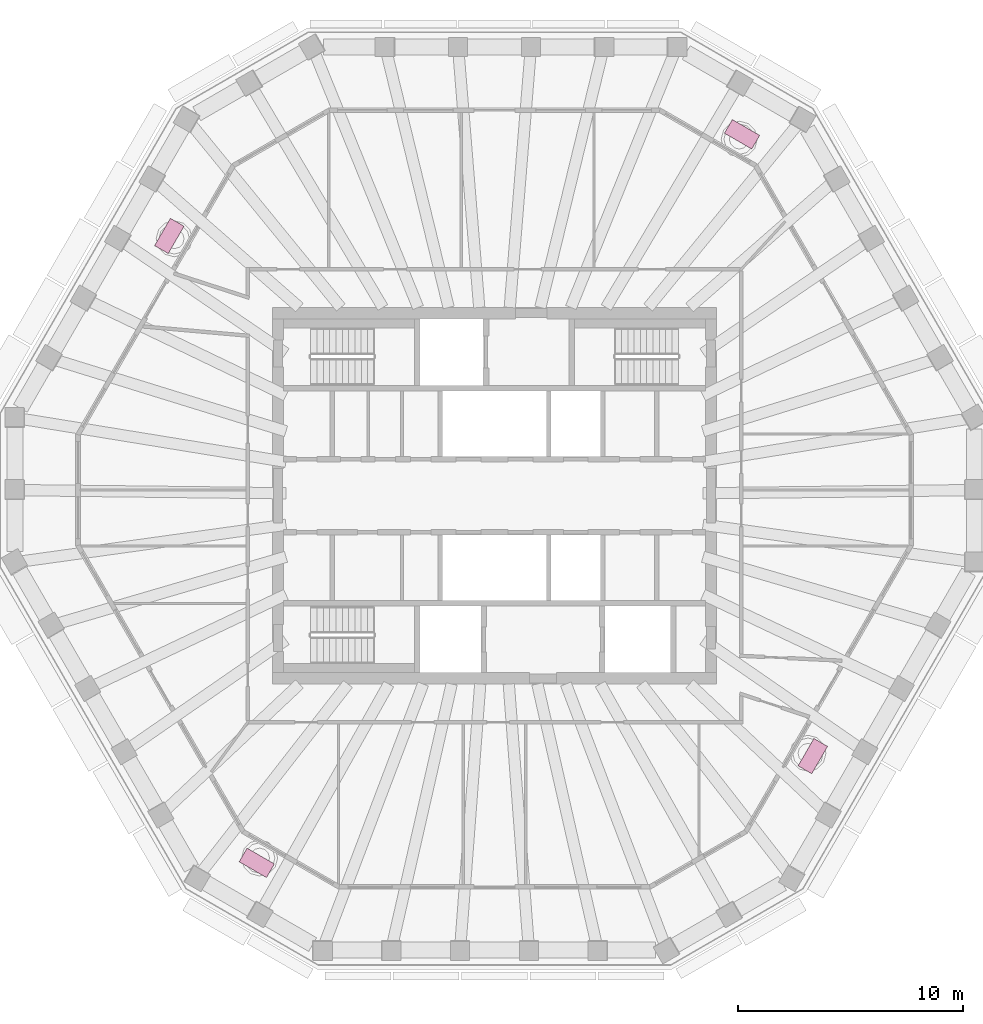
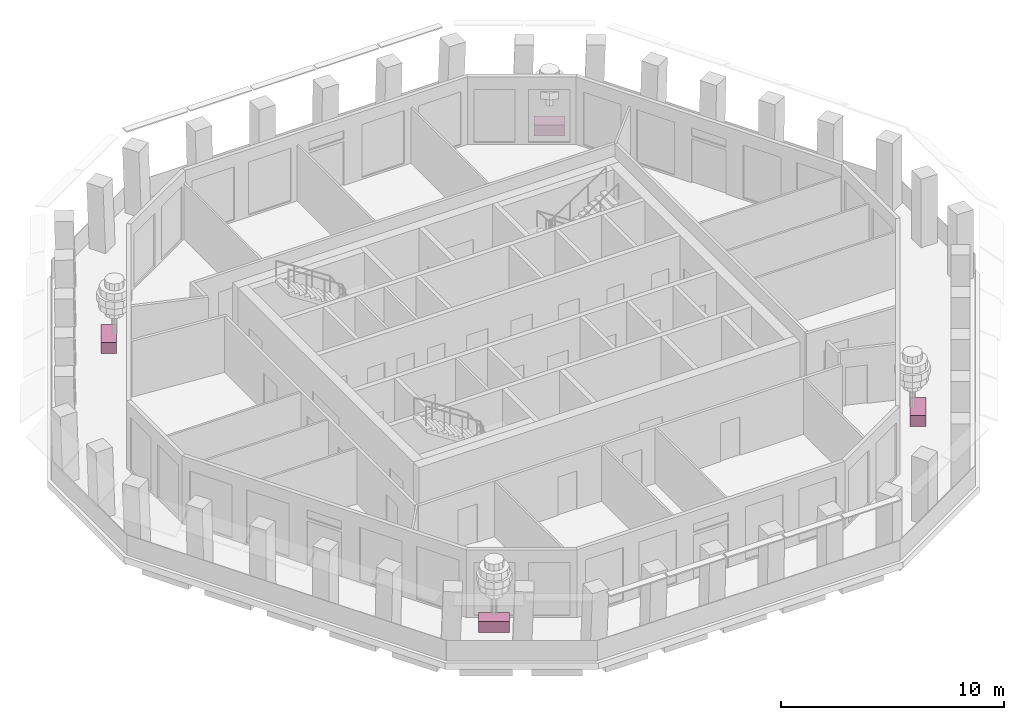
# One storey, part 10 of 11: 4 furniture elements.
"""IFC4 building model written with IfcOpenShell, lengths in metres."""

from ifc_helpers import new_model, si_unit, direction, frame, origin, origin_2d, place, context, subcontext, project, spatial, rectangle, extrude, material, type_object, element, save


model = new_model("IFC4")

# Units and contexts
model_context = context("Model", 3, precision=1e-05, world=origin(), true_north=direction((0.0, 1.0)))
body_context = subcontext(model_context, "Body", "Model", "MODEL_VIEW")
ifc_project = project(units=[si_unit("LENGTHUNIT", "METRE"), si_unit("AREAUNIT", "SQUARE_METRE"), si_unit("VOLUMEUNIT", "CUBIC_METRE"), si_unit("PLANEANGLEUNIT", "RADIAN"), si_unit("MASSUNIT", "GRAM", prefix="KILO")], contexts=[model_context])

# Site, building, storey
site_placement = place(None, origin())
site = spatial("IfcSite", under=ifc_project, at=site_placement, CompositionType="ELEMENT")
building_placement = place(site_placement, origin())
building = spatial("IfcBuilding", under=site, at=building_placement, Name="Frailejon Research Tower", CompositionType="ELEMENT")
storey_placement = place(building_placement, frame((0.0, 0.0, 316.60009765625)))
storey = spatial("IfcBuildingStorey", under=building, at=storey_placement, Name="L70", CompositionType="ELEMENT", Elevation=316.60009765625)

# Furniture
ifc_material = material(Name="Precast concrete C30/37 planter, terracotta", Category="masonry")
furniture_type = type_object("IfcFurnitureType", Name="Loggia planter 1400x700", AssemblyPlace="NOTDEFINED", PredefinedType="USERDEFINED", material=ifc_material)
for number, where, z_axis, x_axis, name in (
    (1, (10.97900390625, 16.031005859375, -0.000244140625), (0.0, 0.0, 1.0), (-0.866025403784, 0.5, 0.0), "Planter L70"),
    (2, (-14.422607421875, 11.5224609375, -0.000244140625), (0.0, 0.0, 1.0), (-0.5, -0.866025403784, 0.0), "Planter L70"),
    (3, (-10.543701171875, -16.2822265625, -0.000244140625), (0.0, 0.0, 1.0), (0.866025403784, -0.5, 0.0), "Planter L70"),
    (4, (14.11767578125, -11.547607421875, -0.000244140625), (0.0, 0.0, 1.0), (0.5, 0.866025403784, 0.0), "Planter L70"),
):
    element("IfcFurniture", number, at=place(storey_placement, frame(where, z_axis=z_axis, x_axis=x_axis)), inside=storey, type_object=furniture_type, Name=name, ObjectType="PLANTER", PredefinedType="USERDEFINED", context=body_context, shape_type="SweptSolid", body=[
        extrude(rectangle(XDim=1.39990234375, YDim=0.699951171875, at=origin_2d()), origin(), (0.0, 0.0, 1.0), 0.60009765625),
    ])

save(model, "model.ifc")
